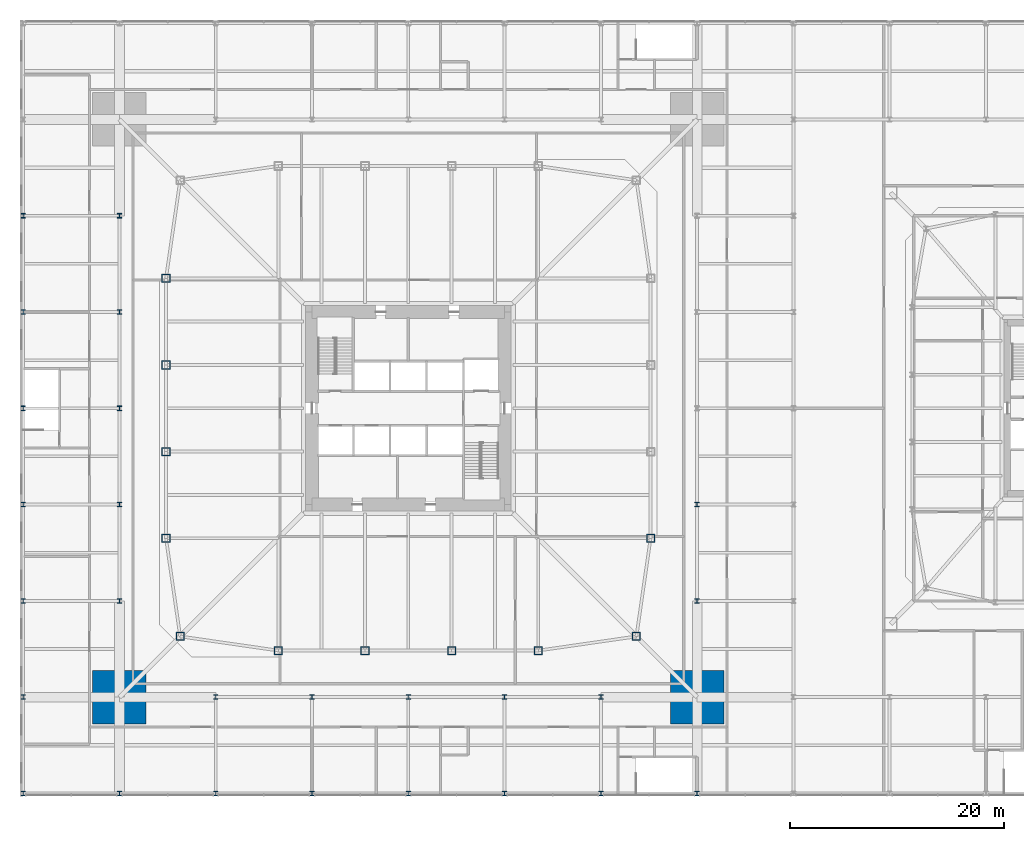
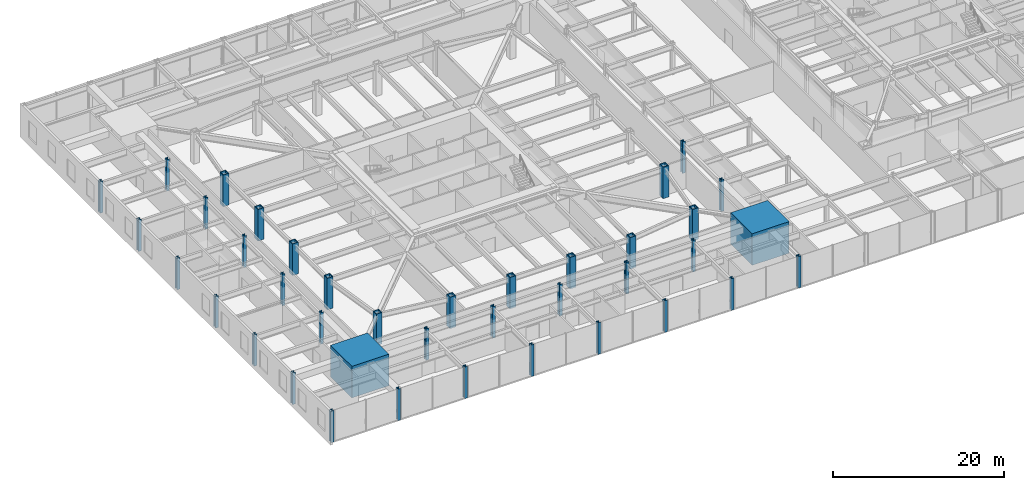
# One storey, part 1 of 30: 39 columns.
"""IFC4 building model written with IfcOpenShell, lengths in metres."""

from ifc_helpers import new_model, si_unit, direction, frame, origin, origin_2d, place, context, subcontext, project, spatial, rectangle, hollow_rectangle, i_section, extrude, material, material_profile, profile_set, type_object, element, save


model = new_model("IFC4")

# Units and contexts
model_context = context("Model", 3, precision=1e-05, world=origin(), true_north=direction((0.0, 1.0)))
body_context = subcontext(model_context, "Body", "Model", "MODEL_VIEW")
ifc_project = project(units=[si_unit("LENGTHUNIT", "METRE"), si_unit("AREAUNIT", "SQUARE_METRE"), si_unit("VOLUMEUNIT", "CUBIC_METRE"), si_unit("PLANEANGLEUNIT", "RADIAN"), si_unit("MASSUNIT", "GRAM", prefix="KILO")], contexts=[model_context])

# Site, building, storey
site_placement = place(None, origin())
site = spatial("IfcSite", under=ifc_project, at=site_placement, CompositionType="ELEMENT")
building_placement = place(site_placement, origin())
building = spatial("IfcBuilding", under=site, at=building_placement, Name="Iwan Alto Co-Living Towers", CompositionType="ELEMENT")
storey_placement = place(building_placement, frame((0.0, 0.0, 10.5)))
storey = spatial("IfcBuildingStorey", under=building, at=storey_placement, Name="L02", CompositionType="ELEMENT", Elevation=10.5)

# Columns
ifc_material_1 = material(Name="Steel ASTM A992 Gr 50", Category="steel")
ifc_material_profile_1 = material_profile(ifc_material_1, i_section(OverallWidth=0.411376953125, OverallDepth=0.434326171875, WebThickness=0.035888671875, FlangeThickness=0.057373046875, at=origin_2d()), Name="W14X311")
ifc_profile_set_1 = profile_set([ifc_material_profile_1], Name="Steel ASTM A992 Gr 50")
column_type_1 = type_object("IfcColumnType", Name="PODIUM COLUMN W14X311", PredefinedType="COLUMN", material=ifc_profile_set_1)
for number, where, z_axis, x_axis, name in (
    (1, (-36.0, -36.0, 0.0), (0.0, 0.0, 1.0), (1.0, 0.0, 0.0), "Podium column 1/A L02"),
    (2, (-36.0, -27.0, 0.0), (0.0, 0.0, 1.0), (1.0, 0.0, 0.0), "Podium column 1/B L02"),
    (3, (-36.0, -18.0, 0.0), (0.0, 0.0, 1.0), (1.0, 0.0, 0.0), "Podium column 1/C L02"),
    (4, (-36.0, -9.0, 0.0), (0.0, 0.0, 1.0), (1.0, 0.0, 0.0), "Podium column 1/D L02"),
    (5, (-36.0, 0.0, 0.0), (0.0, 0.0, 1.0), (1.0, 0.0, 0.0), "Podium column 1/E L02"),
    (6, (-36.0, 9.0, 0.0), (0.0, 0.0, 1.0), (1.0, 0.0, 0.0), "Podium column 1/F L02"),
    (7, (-36.0, 18.0, 0.0), (0.0, 0.0, 1.0), (1.0, 0.0, 0.0), "Podium column 1/G L02"),
    (8, (-27.0, -36.0, 0.0), (0.0, 0.0, 1.0), (1.0, 0.0, 0.0), "Podium column 2/A L02"),
    (9, (-27.0, -18.0, 0.0), (0.0, 0.0, 1.0), (1.0, 0.0, 0.0), "Podium column 2/C L02"),
    (10, (-27.0, -9.0, 0.0), (0.0, 0.0, 1.0), (1.0, 0.0, 0.0), "Podium column 2/D L02"),
    (11, (-27.0, 0.0, 0.0), (0.0, 0.0, 1.0), (1.0, 0.0, 0.0), "Podium column 2/E L02"),
    (12, (-27.0, 9.0, 0.0), (0.0, 0.0, 1.0), (1.0, 0.0, 0.0), "Podium column 2/F L02"),
    (13, (-27.0, 18.0, 0.0), (0.0, 0.0, 1.0), (1.0, 0.0, 0.0), "Podium column 2/G L02"),
    (14, (-18.0, -36.0, 0.0), (0.0, 0.0, 1.0), (1.0, 0.0, 0.0), "Podium column 3/A L02"),
    (15, (-18.0, -27.0, 0.0), (0.0, 0.0, 1.0), (1.0, 0.0, 0.0), "Podium column 3/B L02"),
    (16, (-9.0, -36.0, 0.0), (0.0, 0.0, 1.0), (1.0, 0.0, 0.0), "Podium column 4/A L02"),
    (17, (-9.0, -27.0, 0.0), (0.0, 0.0, 1.0), (1.0, 0.0, 0.0), "Podium column 4/B L02"),
    (18, (0.0, -36.0, 0.0), (0.0, 0.0, 1.0), (1.0, 0.0, 0.0), "Podium column 5/A L02"),
    (19, (0.0, -27.0, 0.0), (0.0, 0.0, 1.0), (1.0, 0.0, 0.0), "Podium column 5/B L02"),
    (20, (9.0, -36.0, 0.0), (0.0, 0.0, 1.0), (1.0, 0.0, 0.0), "Podium column 6/A L02"),
    (21, (9.0, -27.0, 0.0), (0.0, 0.0, 1.0), (1.0, 0.0, 0.0), "Podium column 6/B L02"),
    (22, (18.0, -36.0, 0.0), (0.0, 0.0, 1.0), (1.0, 0.0, 0.0), "Podium column 7/A L02"),
    (23, (18.0, -27.0, 0.0), (0.0, 0.0, 1.0), (1.0, 0.0, 0.0), "Podium column 7/B L02"),
    (24, (27.0, -36.0, 0.0), (0.0, 0.0, 1.0), (1.0, 0.0, 0.0), "Podium column 8/A L02"),
    (25, (27.0, -18.0, 0.0), (0.0, 0.0, 1.0), (1.0, 0.0, 0.0), "Podium column 8/C L02"),
    (26, (27.0, -9.0, 0.0), (0.0, 0.0, 1.0), (1.0, 0.0, 0.0), "Podium column 8/D L02"),
):
    element("IfcColumn", number, at=place(storey_placement, frame(where, z_axis=z_axis, x_axis=x_axis)), inside=storey, type_object=column_type_1, Name=name, PredefinedType="COLUMN", context=body_context, shape_type="SweptSolid", body=[
        extrude(i_section(OverallWidth=0.411376953125, OverallDepth=0.434326171875, WebThickness=0.035888671875, FlangeThickness=0.057373046875, at=origin_2d()), origin(), (0.0, 0.0, 1.0), 4.5),
    ])
ifc_material_2 = material(Name="Concrete f'c 70 MPa", Category="concrete")
ifc_material_profile_2 = material_profile(ifc_material_2, rectangle(XDim=5.0, YDim=5.0, at=origin_2d()), Name="RC 5000X5000")
ifc_profile_set_2 = profile_set([ifc_material_profile_2], Name="Concrete f'c 70 MPa")
column_type_2 = type_object("IfcColumnType", Name="T1 MEGA COLUMN RC 5000X5000", PredefinedType="COLUMN", material=ifc_profile_set_2)
for number, where, z_axis, x_axis, name in (
    (27, (-27.0, -27.0, 0.0), (0.0, 0.0, 1.0), (1.0, 0.0, 0.0), "T1 mega column SW L02"),
    (28, (27.0, -27.0, 0.0), (0.0, 0.0, 1.0), (1.0, 0.0, 0.0), "T1 mega column SE L02"),
):
    element("IfcColumn", number, at=place(storey_placement, frame(where, z_axis=z_axis, x_axis=x_axis)), inside=storey, type_object=column_type_2, Name=name, PredefinedType="COLUMN", context=body_context, shape_type="SweptSolid", body=[
        extrude(rectangle(XDim=5.0, YDim=5.0, at=origin_2d()), origin(), (0.0, 0.0, 1.0), 4.5),
        extrude(i_section(OverallWidth=0.4775390625, OverallDepth=0.599365234375, WebThickness=0.10009765625, FlangeThickness=0.139892578125, at=origin_2d()), origin(), (0.0, 0.0, 1.0), 4.5),
    ])
ifc_material_3 = material(Name="Steel ASTM A572 Gr 50", Category="steel")
ifc_material_profile_3 = material_profile(ifc_material_3, hollow_rectangle(XDim=0.800048828125, YDim=0.800048828125, WallThickness=0.090087890625, at=origin_2d()), Name="BOX 800X800X90")
ifc_profile_set_3 = profile_set([ifc_material_profile_3], Name="Steel ASTM A572 Gr 50")
column_type_3 = type_object("IfcColumnType", Name="T1 RING COLUMN BOX 800X800X90", PredefinedType="COLUMN", material=ifc_profile_set_3)
for number, where, z_axis, x_axis, name in (
    (29, (-21.32568359375, -21.32568359375, 0.0), (0.0, 0.0, 1.0), (1.0, 0.0, 0.0), "T1 ring column CSW L02"),
    (30, (-12.14990234375, -22.64990234375, 0.0), (0.0, 0.0, 1.0), (1.0, 0.0, 0.0), "T1 ring column S1 L02"),
    (31, (-4.050048828125, -22.64990234375, 0.0), (0.0, 0.0, 1.0), (1.0, 0.0, 0.0), "T1 ring column S2 L02"),
    (32, (4.050048828125, -22.64990234375, 0.0), (0.0, 0.0, 1.0), (1.0, 0.0, 0.0), "T1 ring column S3 L02"),
    (33, (12.14990234375, -22.64990234375, 0.0), (0.0, 0.0, 1.0), (1.0, 0.0, 0.0), "T1 ring column S4 L02"),
    (34, (21.32568359375, -21.32568359375, 0.0), (0.0, 0.0, 1.0), (1.0, 0.0, 0.0), "T1 ring column CSE L02"),
    (35, (22.64990234375, -12.14990234375, 0.0), (0.0, 0.0, 1.0), (1.0, 0.0, 0.0), "T1 ring column E1 L02"),
    (36, (-22.64990234375, 12.14990234375, 0.0), (0.0, 0.0, 1.0), (1.0, 0.0, 0.0), "T1 ring column W1 L02"),
    (37, (-22.64990234375, 4.050048828125, 0.0), (0.0, 0.0, 1.0), (1.0, 0.0, 0.0), "T1 ring column W2 L02"),
    (38, (-22.64990234375, -4.050048828125, 0.0), (0.0, 0.0, 1.0), (1.0, 0.0, 0.0), "T1 ring column W3 L02"),
    (39, (-22.64990234375, -12.14990234375, 0.0), (0.0, 0.0, 1.0), (1.0, 0.0, 0.0), "T1 ring column W4 L02"),
):
    element("IfcColumn", number, at=place(storey_placement, frame(where, z_axis=z_axis, x_axis=x_axis)), inside=storey, type_object=column_type_3, Name=name, PredefinedType="COLUMN", context=body_context, shape_type="SweptSolid", body=[
        extrude(hollow_rectangle(XDim=0.800048828125, YDim=0.800048828125, WallThickness=0.090087890625, at=origin_2d()), origin(), (0.0, 0.0, 1.0), 4.5),
    ])

save(model, "model.ifc")
